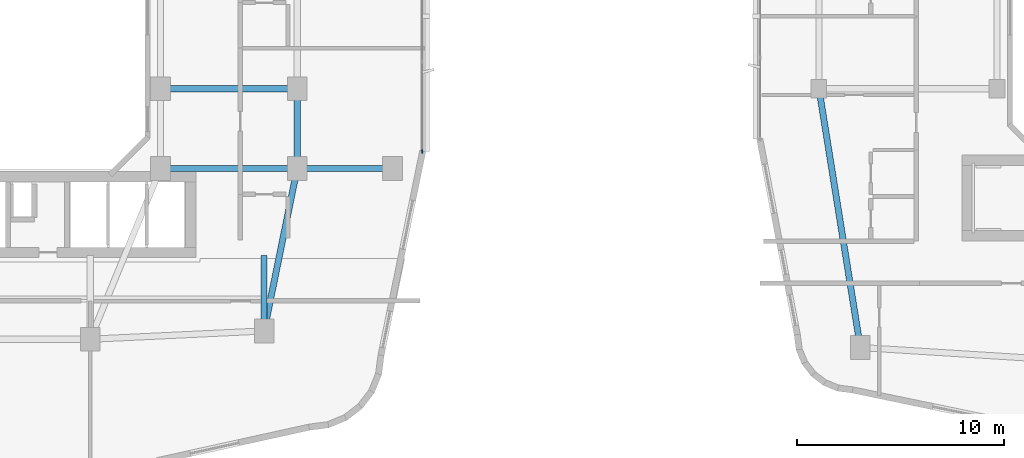
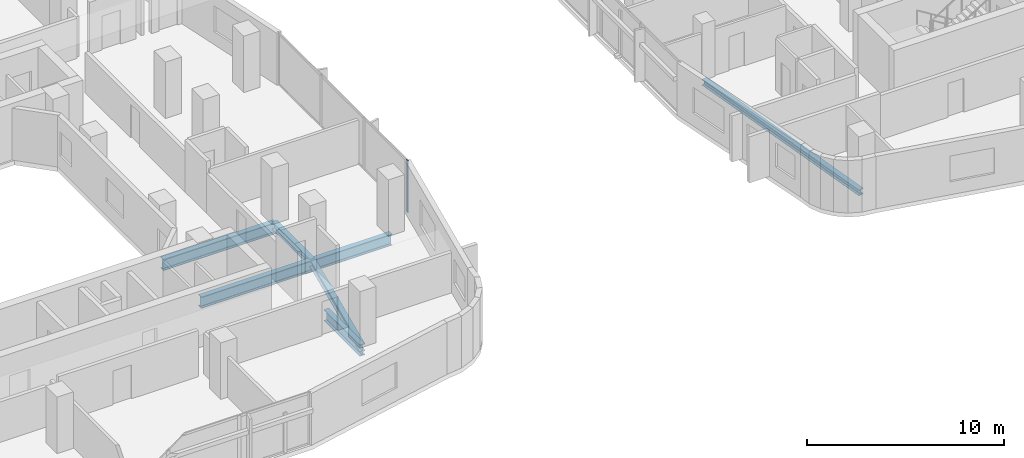
# One storey, part 4 of 26: 7 beams, 1 member, 1 element without a shape of its own.
"""IFC4 building model written with IfcOpenShell, lengths in metres."""

from ifc_helpers import new_model, si_unit, derived_unit, direction, frame, origin, origin_2d, place, context, subcontext, project, spatial, rectangle, i_section, extrude, material, layer, layer_set, material_profile, profile_set, type_object, element, aggregate, save


model = new_model("IFC4")

# Units and contexts
model_context = context("Model", 3, precision=1e-05, world=origin(), true_north=direction((0.0, 1.0)))
body_context = subcontext(model_context, "Body", "Model", "MODEL_VIEW")
ifc_project = project(units=[si_unit("LENGTHUNIT", "METRE"), si_unit("AREAUNIT", "SQUARE_METRE"), si_unit("VOLUMEUNIT", "CUBIC_METRE"), si_unit("PLANEANGLEUNIT", "RADIAN"), si_unit("MASSUNIT", "GRAM", prefix="KILO"), derived_unit("THERMALTRANSMITTANCEUNIT", [(si_unit("POWERUNIT", "WATT"), 1), (si_unit("LENGTHUNIT", "METRE"), -2), (si_unit("THERMODYNAMICTEMPERATUREUNIT", "KELVIN"), -1)])], contexts=[model_context])

# Site, building, storey
site_placement = place(None, origin())
site = spatial("IfcSite", under=ifc_project, at=site_placement, CompositionType="ELEMENT")
building_placement = place(site_placement, origin())
building = spatial("IfcBuilding", under=site, at=building_placement, Name="Kivonza Crest Hotel", CompositionType="ELEMENT")
storey_placement = place(building_placement, frame((0.0, 0.0, 62.5)))
storey = spatial("IfcBuildingStorey", under=building, at=storey_placement, Name="L16", CompositionType="ELEMENT", Elevation=62.5)

# Beams
ifc_material_1 = material(Name="Steel S355", Category="steel")
ifc_material_profile_1 = material_profile(ifc_material_1, i_section(OverallWidth=0.300048828125, OverallDepth=0.360107421875, WebThickness=0.012451171875, FlangeThickness=0.0224609375, FilletRadius=0.027099609375, at=origin_2d()), Name="HEB 360")
ifc_profile_set_1 = profile_set([ifc_material_profile_1], Name="Steel S355")
beam_type_1 = type_object("IfcBeamType", Name="BM-HEB360", PredefinedType="SPANDREL", material=ifc_profile_set_1)
beam_1_placement = place(storey_placement, frame((61.0, 21.5, -0.429931640625), z_axis=(0.157990501107, -0.987440631917, 0.0), x_axis=(0.987440631917, 0.157990501107, 0.0)))
element("IfcBeam", 1, at=beam_1_placement, inside=storey, type_object=beam_type_1, Name="Companion Tower T2 L16 perimeter spandrel W1-SW", PredefinedType="SPANDREL", context=body_context, shape_type="SweptSolid", body=[
    extrude(i_section(OverallWidth=0.300048828125, OverallDepth=0.360107421875, WebThickness=0.012451171875, FlangeThickness=0.0224609375, FilletRadius=0.027099609375, at=origin_2d()), origin(), (0.0, 0.0, 1.0), 12.658935546875),
])
ifc_material_profile_2 = material_profile(ifc_material_1, i_section(OverallWidth=0.300048828125, OverallDepth=0.449951171875, WebThickness=0.013916015625, FlangeThickness=0.02587890625, FilletRadius=0.027099609375, at=origin_2d()), Name="HEB 450")
ifc_profile_set_2 = profile_set([ifc_material_profile_2], Name="Steel S355")
beam_type_2 = type_object("IfcBeamType", Name="BM-HEB450", PredefinedType="SPANDREL", material=ifc_profile_set_2)
beam_2_placement = place(storey_placement, frame((34.199951171875, 9.800048828125, -0.5048828125), z_axis=(0.199730733965, 0.979850822273, 0.0), x_axis=(-0.979850822273, 0.199730733965, 0.0)))
element("IfcBeam", 2, at=beam_2_placement, inside=storey, type_object=beam_type_2, Name="Tower T1 L16 perimeter spandrel SE-PSE", PredefinedType="SPANDREL", context=body_context, shape_type="SweptSolid", body=[
    extrude(i_section(OverallWidth=0.300048828125, OverallDepth=0.449951171875, WebThickness=0.013916015625, FlangeThickness=0.02587890625, FilletRadius=0.027099609375, at=origin_2d()), origin(), (0.0, 0.0, 1.0), 8.01123046875),
])
beam_3_placement = place(storey_placement, frame((35.800048828125, 17.64990234375, -0.5048828125), z_axis=(0.0, 1.0, 0.0), x_axis=(-1.0, 0.0, 0.0)))
element("IfcBeam", 3, at=beam_3_placement, inside=storey, type_object=beam_type_2, Name="Tower T1 L16 perimeter spandrel PSE-E1", PredefinedType="SPANDREL", context=body_context, shape_type="SweptSolid", body=[
    extrude(i_section(OverallWidth=0.300048828125, OverallDepth=0.449951171875, WebThickness=0.013916015625, FlangeThickness=0.02587890625, FilletRadius=0.027099609375, at=origin_2d()), origin(), (0.0, 0.0, 1.0), 3.85009765625),
])
ifc_material_profile_3 = material_profile(ifc_material_1, i_section(OverallWidth=0.300048828125, OverallDepth=0.699951171875, WebThickness=0.01708984375, FlangeThickness=0.031982421875, FilletRadius=0.027099609375, at=origin_2d()), Name="HEB 700")
ifc_profile_set_3 = profile_set([ifc_material_profile_3], Name="Steel S355")
beam_type_3 = type_object("IfcBeamType", Name="BM-HEB700", PredefinedType="BEAM", material=ifc_profile_set_3)
for number, where, z_axis, x_axis, name in (
    (4, (29.199951171875, 17.64990234375, -0.6298828125), (1.0, 0.0, 0.0), (0.0, 1.0, 0.0), "Tower T1 L16 primary girder TSE-PSE"),
    (5, (29.199951171875, 21.5, -0.6298828125), (1.0, 0.0, 0.0), (0.0, 1.0, 0.0), "Tower T1 L16 primary girder WR1-E1"),
):
    element("IfcBeam", number, at=place(storey_placement, frame(where, z_axis=z_axis, x_axis=x_axis)), inside=storey, type_object=beam_type_3, Name=name, PredefinedType="BEAM", context=body_context, shape_type="SweptSolid", body=[
        extrude(i_section(OverallWidth=0.300048828125, OverallDepth=0.699951171875, WebThickness=0.01708984375, FlangeThickness=0.031982421875, FilletRadius=0.027099609375, at=origin_2d()), origin(), (0.0, 0.0, 1.0), 6.60009765625),
    ])
beam_4_placement = place(storey_placement, frame((40.39990234375, 17.64990234375, -0.6298828125), z_axis=(-1.0, 0.0, 0.0), x_axis=(0.0, -1.0, 0.0)))
element("IfcBeam", 6, at=beam_4_placement, inside=storey, type_object=beam_type_3, Name="Tower T1 L16 outer bay girder ZE1", PredefinedType="BEAM", context=body_context, shape_type="SweptSolid", body=[
    extrude(i_section(OverallWidth=0.300048828125, OverallDepth=0.699951171875, WebThickness=0.01708984375, FlangeThickness=0.031982421875, FilletRadius=0.027099609375, at=origin_2d()), origin(), (0.0, 0.0, 1.0), 4.599853515625),
])
beam_5_placement = place(storey_placement, frame((34.199951171875, 9.800048828125, -0.6298828125), z_axis=(0.0, 1.0, 0.0), x_axis=(-1.0, 0.0, 0.0)))
element("IfcBeam", 7, at=beam_5_placement, inside=storey, type_object=beam_type_3, Name="Tower T1 L16 radial core girder RSE", PredefinedType="BEAM", context=body_context, shape_type="SweptSolid", body=[
    extrude(i_section(OverallWidth=0.300048828125, OverallDepth=0.699951171875, WebThickness=0.01708984375, FlangeThickness=0.031982421875, FilletRadius=0.027099609375, at=origin_2d()), origin(), (0.0, 0.0, 1.0), 3.64990234375),
])

# Curtain wall, member
ifc_material_2 = material(Name="Anodised bronze aluminium and low-E double glazing", Category="aluminium")
ifc_layer = layer(ifc_material_2, 0.179931640625)
ifc_layer_set = layer_set([ifc_layer], Name="Anodised bronze aluminium and low-E double glazing")
curtain_wall_type = type_object("IfcCurtainWallType", Name="CW-SYS-2", PredefinedType="NOTDEFINED", material=ifc_layer_set)
curtain_wall_placement = place(storey_placement, origin())
curtain_wall = element("IfcCurtainWall", 8, at=curtain_wall_placement, inside=storey, type_object=curtain_wall_type, Name="L16 unitised curtain wall CW-T1-L16-17", PredefinedType="NOTDEFINED")
ifc_material_3 = material(Name="Anodised bronze aluminium", Category="aluminium")
ifc_material_profile_4 = material_profile(ifc_material_3, rectangle(XDim=0.06494140625, YDim=0.179931640625, at=origin_2d()), Name="CW-M 65x180")
ifc_profile_set_4 = profile_set([ifc_material_profile_4], Name="Anodised bronze aluminium")
member_type = type_object("IfcMemberType", Name="CW-MUL-65x180", PredefinedType="MULLION", material=ifc_profile_set_4)
member_placement = place(storey_placement, frame((41.840087890625, 18.472412109375, 0.0), z_axis=(0.0, 0.0, 1.0), x_axis=(-1.0, 0.0, 0.0)))
member = element("IfcMember", 9, at=member_placement, type_object=member_type, Name="CW-2 mullion 1", PredefinedType="MULLION", context=body_context, shape_type="SweptSolid", body=[
    extrude(rectangle(XDim=0.06494140625, YDim=0.179931640625, at=origin_2d()), origin(), (0.0, 0.0, 1.0), 3.219970703125),
])
aggregate(curtain_wall, [member])

save(model, "model.ifc")
